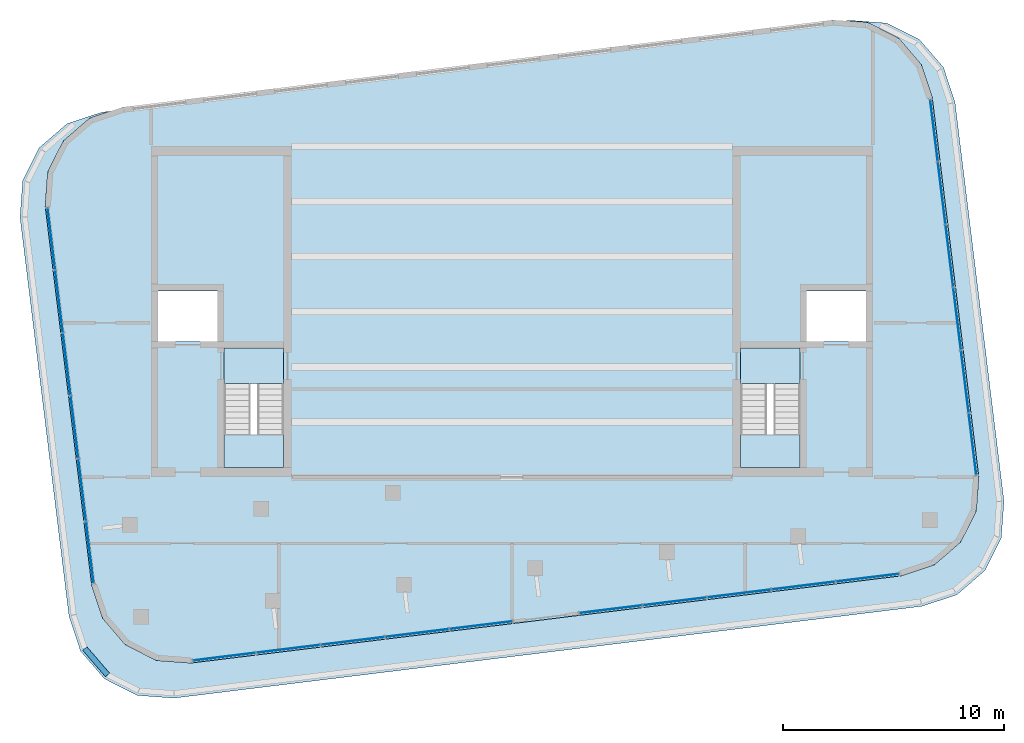
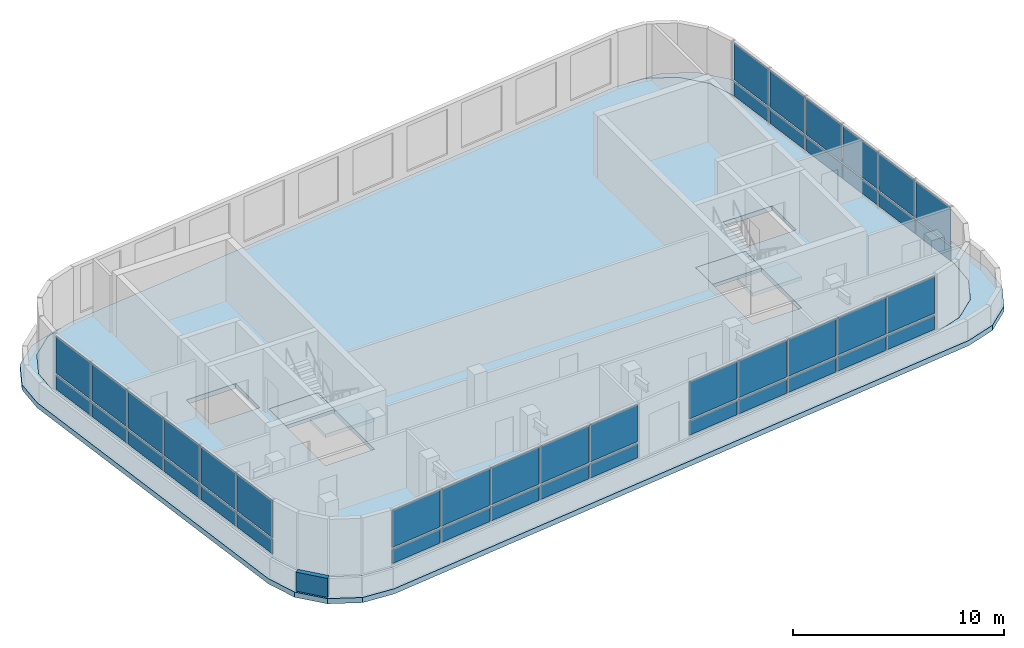
# One storey, part 4 of 8: 44 plates, 6 slabs, 1 wall, 6 elements without a shape of their own.
"""IFC4 building model written with IfcOpenShell, lengths in metres."""

from ifc_helpers import new_model, si_unit, direction, frame, frame_2d, origin, origin_2d, place, context, subcontext, project, spatial, polyline, rectangle, outline, extrude, material, layer, layer_set, type_object, element, aggregate, save


model = new_model("IFC4")

# Units and contexts
model_context = context("Model", 3, precision=1e-05, world=origin(), true_north=direction((0.0, 1.0)))
body_context = subcontext(model_context, "Body", "Model", "MODEL_VIEW")
ifc_project = project(units=[si_unit("LENGTHUNIT", "METRE"), si_unit("AREAUNIT", "SQUARE_METRE"), si_unit("VOLUMEUNIT", "CUBIC_METRE"), si_unit("PLANEANGLEUNIT", "RADIAN"), si_unit("MASSUNIT", "GRAM", prefix="KILO")], contexts=[model_context])

# Site, building, storey
site_placement = place(None, origin())
site = spatial("IfcSite", under=ifc_project, at=site_placement, CompositionType="ELEMENT")
building_placement = place(site_placement, origin())
building = spatial("IfcBuilding", under=site, at=building_placement, Name="Torana Hotel and Residences", CompositionType="ELEMENT")
storey_placement = place(building_placement, frame((0.0, 0.0, 350.199951171875)))
storey = spatial("IfcBuildingStorey", under=building, at=storey_placement, Name="C2", CompositionType="ELEMENT", Elevation=350.199951171875)

# Curtain wall, plates
ifc_material_1 = material(Name="Dark anodised aluminium", Category="aluminium")
ifc_layer_1 = layer(ifc_material_1, 0.199951171875)
ifc_layer_set_1 = layer_set([ifc_layer_1], Name="CW4 CROWN TERRACE GLAZING CURTAIN WALL")
curtain_wall_type = type_object("IfcCurtainWallType", Name="CW4 CROWN TERRACE GLAZING CURTAIN WALL", PredefinedType="NOTDEFINED", material=ifc_layer_set_1)
curtain_wall_1_placement = place(storey_placement, origin())
curtain_wall_1 = element("IfcCurtainWall", 1, at=curtain_wall_1_placement, inside=storey, type_object=curtain_wall_type, Name="Curtain wall CW4 C2 e0.9", PredefinedType="NOTDEFINED")
ifc_material_2 = material(Name="Glass dark tinted laminated glass", Category="glass")
ifc_layer_2 = layer(ifc_material_2, 0.02197265625)
ifc_layer_set_2 = layer_set([ifc_layer_2], Name="CW4 DARK GLASS PANEL 22")
plate_type = type_object("IfcPlateType", Name="CW4 DARK GLASS PANEL 22", PredefinedType="CURTAIN_PANEL", material=ifc_layer_set_2)
plate_1_placement = place(storey_placement, frame((-20.87255859375, -4.197021484375, 0.1201171875), z_axis=(0.0, 0.0, 1.0), x_axis=(0.121868733109, -0.992546226576, 0.0)))
plate_1 = element("IfcPlate", 2, at=plate_1_placement, type_object=plate_type, Name="CW4 panel 1.1", PredefinedType="CURTAIN_PANEL", context=body_context, shape_type="SweptSolid", body=[
    extrude(rectangle(XDim=2.766845703125, YDim=0.02197265625, at=origin_2d()), origin(), (0.0, 0.0, 1.0), 0.820068359375),
])
plate_2_placement = place(storey_placement, frame((-20.87255859375, -4.197021484375, 1.06005859375), z_axis=(0.0, 0.0, 1.0), x_axis=(0.121868733109, -0.992546226576, 0.0)))
plate_2 = element("IfcPlate", 3, at=plate_2_placement, type_object=plate_type, Name="CW4 panel 1.2", PredefinedType="CURTAIN_PANEL", context=body_context, shape_type="SweptSolid", body=[
    extrude(rectangle(XDim=2.766845703125, YDim=0.02197265625, at=origin_2d()), origin(), (0.0, 0.0, 1.0), 2.139892578125),
])
plate_3_placement = place(storey_placement, frame((-20.524658203125, -7.030029296875, 0.1201171875), z_axis=(0.0, 0.0, 1.0), x_axis=(0.121868733109, -0.992546226576, 0.0)))
plate_3 = element("IfcPlate", 4, at=plate_3_placement, type_object=plate_type, Name="CW4 panel 2.1", PredefinedType="CURTAIN_PANEL", context=body_context, shape_type="SweptSolid", body=[
    extrude(rectangle(XDim=2.8017578125, YDim=0.02197265625, at=origin_2d()), origin(), (0.0, 0.0, 1.0), 0.820068359375),
])
plate_4_placement = place(storey_placement, frame((-20.524658203125, -7.030029296875, 1.06005859375), z_axis=(0.0, 0.0, 1.0), x_axis=(0.121868733109, -0.992546226576, 0.0)))
plate_4 = element("IfcPlate", 5, at=plate_4_placement, type_object=plate_type, Name="CW4 panel 2.2", PredefinedType="CURTAIN_PANEL", context=body_context, shape_type="SweptSolid", body=[
    extrude(rectangle(XDim=2.8017578125, YDim=0.02197265625, at=origin_2d()), origin(), (0.0, 0.0, 1.0), 2.139892578125),
])
plate_5_placement = place(storey_placement, frame((-20.1748046875, -9.88037109375, 0.1201171875), z_axis=(0.0, 0.0, 1.0), x_axis=(0.121868733109, -0.992546226576, 0.0)))
plate_5 = element("IfcPlate", 6, at=plate_5_placement, type_object=plate_type, Name="CW4 panel 3.1", PredefinedType="CURTAIN_PANEL", context=body_context, shape_type="SweptSolid", body=[
    extrude(rectangle(XDim=2.8017578125, YDim=0.02197265625, at=origin_2d()), origin(), (0.0, 0.0, 1.0), 0.820068359375),
])
plate_6_placement = place(storey_placement, frame((-20.1748046875, -9.88037109375, 1.06005859375), z_axis=(0.0, 0.0, 1.0), x_axis=(0.121868733109, -0.992546226576, 0.0)))
plate_6 = element("IfcPlate", 7, at=plate_6_placement, type_object=plate_type, Name="CW4 panel 3.2", PredefinedType="CURTAIN_PANEL", context=body_context, shape_type="SweptSolid", body=[
    extrude(rectangle(XDim=2.8017578125, YDim=0.02197265625, at=origin_2d()), origin(), (0.0, 0.0, 1.0), 2.139892578125),
])
plate_7_placement = place(storey_placement, frame((-19.82470703125, -12.730712890625, 0.1201171875), z_axis=(0.0, 0.0, 1.0), x_axis=(0.121868733109, -0.992546226576, 0.0)))
plate_7 = element("IfcPlate", 8, at=plate_7_placement, type_object=plate_type, Name="CW4 panel 4.1", PredefinedType="CURTAIN_PANEL", context=body_context, shape_type="SweptSolid", body=[
    extrude(rectangle(XDim=2.8017578125, YDim=0.02197265625, at=origin_2d()), origin(), (0.0, 0.0, 1.0), 0.820068359375),
])
plate_8_placement = place(storey_placement, frame((-19.82470703125, -12.730712890625, 1.06005859375), z_axis=(0.0, 0.0, 1.0), x_axis=(0.121868733109, -0.992546226576, 0.0)))
plate_8 = element("IfcPlate", 9, at=plate_8_placement, type_object=plate_type, Name="CW4 panel 4.2", PredefinedType="CURTAIN_PANEL", context=body_context, shape_type="SweptSolid", body=[
    extrude(rectangle(XDim=2.8017578125, YDim=0.02197265625, at=origin_2d()), origin(), (0.0, 0.0, 1.0), 2.139892578125),
])
plate_9_placement = place(storey_placement, frame((-19.474853515625, -15.581298828125, 0.1201171875), z_axis=(0.0, 0.0, 1.0), x_axis=(0.121868733109, -0.992546226576, 0.0)))
plate_9 = element("IfcPlate", 10, at=plate_9_placement, type_object=plate_type, Name="CW4 panel 5.1", PredefinedType="CURTAIN_PANEL", context=body_context, shape_type="SweptSolid", body=[
    extrude(rectangle(XDim=2.8017578125, YDim=0.02197265625, at=origin_2d()), origin(), (0.0, 0.0, 1.0), 0.820068359375),
])
plate_10_placement = place(storey_placement, frame((-19.474853515625, -15.581298828125, 1.06005859375), z_axis=(0.0, 0.0, 1.0), x_axis=(0.121868733109, -0.992546226576, 0.0)))
plate_10 = element("IfcPlate", 11, at=plate_10_placement, type_object=plate_type, Name="CW4 panel 5.2", PredefinedType="CURTAIN_PANEL", context=body_context, shape_type="SweptSolid", body=[
    extrude(rectangle(XDim=2.8017578125, YDim=0.02197265625, at=origin_2d()), origin(), (0.0, 0.0, 1.0), 2.139892578125),
])
plate_11_placement = place(storey_placement, frame((-19.126953125, -18.414306640625, 0.1201171875), z_axis=(0.0, 0.0, 1.0), x_axis=(0.121868733109, -0.992546226576, 0.0)))
plate_11 = element("IfcPlate", 12, at=plate_11_placement, type_object=plate_type, Name="CW4 panel 6.1", PredefinedType="CURTAIN_PANEL", context=body_context, shape_type="SweptSolid", body=[
    extrude(rectangle(XDim=2.766845703125, YDim=0.02197265625, at=origin_2d()), origin(), (0.0, 0.0, 1.0), 0.820068359375),
])
plate_12_placement = place(storey_placement, frame((-19.126953125, -18.414306640625, 1.06005859375), z_axis=(0.0, 0.0, 1.0), x_axis=(0.121868733109, -0.992546226576, 0.0)))
plate_12 = element("IfcPlate", 13, at=plate_12_placement, type_object=plate_type, Name="CW4 panel 6.2", PredefinedType="CURTAIN_PANEL", context=body_context, shape_type="SweptSolid", body=[
    extrude(rectangle(XDim=2.766845703125, YDim=0.02197265625, at=origin_2d()), origin(), (0.0, 0.0, 1.0), 2.139892578125),
])
aggregate(curtain_wall_1, [plate_1, plate_2, plate_3, plate_4, plate_5, plate_6, plate_7, plate_8, plate_9, plate_10, plate_11, plate_12])

curtain_wall_2_placement = place(storey_placement, origin())
curtain_wall_2 = element("IfcCurtainWall", 14, at=curtain_wall_2_placement, inside=storey, type_object=curtain_wall_type, Name="Curtain wall CW4 C2 e0.14-1", PredefinedType="NOTDEFINED")
plate_13_placement = place(storey_placement, frame((-13.043701171875, -23.135986328125, 0.1201171875), z_axis=(0.0, 0.0, 1.0), x_axis=(0.99254689014, 0.121863328667, 0.0)))
plate_13 = element("IfcPlate", 15, at=plate_13_placement, type_object=plate_type, Name="CW4 panel 1.1", PredefinedType="CURTAIN_PANEL", context=body_context, shape_type="SweptSolid", body=[
    extrude(rectangle(XDim=2.8359375, YDim=0.02197265625, at=origin_2d()), origin(), (0.0, 0.0, 1.0), 0.820068359375),
])
plate_14_placement = place(storey_placement, frame((-13.043701171875, -23.135986328125, 1.06005859375), z_axis=(0.0, 0.0, 1.0), x_axis=(0.99254689014, 0.121863328667, 0.0)))
plate_14 = element("IfcPlate", 16, at=plate_14_placement, type_object=plate_type, Name="CW4 panel 1.2", PredefinedType="CURTAIN_PANEL", context=body_context, shape_type="SweptSolid", body=[
    extrude(rectangle(XDim=2.8359375, YDim=0.02197265625, at=origin_2d()), origin(), (0.0, 0.0, 1.0), 2.139892578125),
])
plate_15_placement = place(storey_placement, frame((-10.14208984375, -22.77978515625, 0.1201171875), z_axis=(0.0, 0.0, 1.0), x_axis=(0.99254689014, 0.121863328667, 0.0)))
plate_15 = element("IfcPlate", 17, at=plate_15_placement, type_object=plate_type, Name="CW4 panel 2.1", PredefinedType="CURTAIN_PANEL", context=body_context, shape_type="SweptSolid", body=[
    extrude(rectangle(XDim=2.87109375, YDim=0.02197265625, at=origin_2d()), origin(), (0.0, 0.0, 1.0), 0.820068359375),
])
plate_16_placement = place(storey_placement, frame((-10.14208984375, -22.77978515625, 1.06005859375), z_axis=(0.0, 0.0, 1.0), x_axis=(0.99254689014, 0.121863328667, 0.0)))
plate_16 = element("IfcPlate", 18, at=plate_16_placement, type_object=plate_type, Name="CW4 panel 2.2", PredefinedType="CURTAIN_PANEL", context=body_context, shape_type="SweptSolid", body=[
    extrude(rectangle(XDim=2.87109375, YDim=0.02197265625, at=origin_2d()), origin(), (0.0, 0.0, 1.0), 2.139892578125),
])
plate_17_placement = place(storey_placement, frame((-7.222900390625, -22.42138671875, 0.1201171875), z_axis=(0.0, 0.0, 1.0), x_axis=(0.99254689014, 0.121863328667, 0.0)))
plate_17 = element("IfcPlate", 19, at=plate_17_placement, type_object=plate_type, Name="CW4 panel 3.1", PredefinedType="CURTAIN_PANEL", context=body_context, shape_type="SweptSolid", body=[
    extrude(rectangle(XDim=2.87109375, YDim=0.02197265625, at=origin_2d()), origin(), (0.0, 0.0, 1.0), 0.820068359375),
])
plate_18_placement = place(storey_placement, frame((-7.222900390625, -22.42138671875, 1.06005859375), z_axis=(0.0, 0.0, 1.0), x_axis=(0.99254689014, 0.121863328667, 0.0)))
plate_18 = element("IfcPlate", 20, at=plate_18_placement, type_object=plate_type, Name="CW4 panel 3.2", PredefinedType="CURTAIN_PANEL", context=body_context, shape_type="SweptSolid", body=[
    extrude(rectangle(XDim=2.87109375, YDim=0.02197265625, at=origin_2d()), origin(), (0.0, 0.0, 1.0), 2.139892578125),
])
plate_19_placement = place(storey_placement, frame((-4.3037109375, -22.06298828125, 0.1201171875), z_axis=(0.0, 0.0, 1.0), x_axis=(0.99254689014, 0.121863328667, 0.0)))
plate_19 = element("IfcPlate", 21, at=plate_19_placement, type_object=plate_type, Name="CW4 panel 4.1", PredefinedType="CURTAIN_PANEL", context=body_context, shape_type="SweptSolid", body=[
    extrude(rectangle(XDim=2.87109375, YDim=0.02197265625, at=origin_2d()), origin(), (0.0, 0.0, 1.0), 0.820068359375),
])
plate_20_placement = place(storey_placement, frame((-4.3037109375, -22.06298828125, 1.06005859375), z_axis=(0.0, 0.0, 1.0), x_axis=(0.99254689014, 0.121863328667, 0.0)))
plate_20 = element("IfcPlate", 22, at=plate_20_placement, type_object=plate_type, Name="CW4 panel 4.2", PredefinedType="CURTAIN_PANEL", context=body_context, shape_type="SweptSolid", body=[
    extrude(rectangle(XDim=2.87109375, YDim=0.02197265625, at=origin_2d()), origin(), (0.0, 0.0, 1.0), 2.139892578125),
])
plate_21_placement = place(storey_placement, frame((-1.402099609375, -21.706787109375, 0.1201171875), z_axis=(0.0, 0.0, 1.0), x_axis=(0.99254689014, 0.121863328667, 0.0)))
plate_21 = element("IfcPlate", 23, at=plate_21_placement, type_object=plate_type, Name="CW4 panel 5.1", PredefinedType="CURTAIN_PANEL", context=body_context, shape_type="SweptSolid", body=[
    extrude(rectangle(XDim=2.8359375, YDim=0.02197265625, at=origin_2d()), origin(), (0.0, 0.0, 1.0), 0.820068359375),
])
plate_22_placement = place(storey_placement, frame((-1.402099609375, -21.706787109375, 1.06005859375), z_axis=(0.0, 0.0, 1.0), x_axis=(0.99254689014, 0.121863328667, 0.0)))
plate_22 = element("IfcPlate", 24, at=plate_22_placement, type_object=plate_type, Name="CW4 panel 5.2", PredefinedType="CURTAIN_PANEL", context=body_context, shape_type="SweptSolid", body=[
    extrude(rectangle(XDim=2.8359375, YDim=0.02197265625, at=origin_2d()), origin(), (0.0, 0.0, 1.0), 2.139892578125),
])
aggregate(curtain_wall_2, [plate_13, plate_14, plate_15, plate_16, plate_17, plate_18, plate_19, plate_20, plate_21, plate_22])

curtain_wall_3_placement = place(storey_placement, origin())
curtain_wall_3 = element("IfcCurtainWall", 25, at=curtain_wall_3_placement, inside=storey, type_object=curtain_wall_type, Name="Curtain wall CW4 C2 e0.14-2", PredefinedType="NOTDEFINED")
plate_23_placement = place(storey_placement, frame((4.470703125, -20.985595703125, 0.1201171875), z_axis=(0.0, 0.0, 1.0), x_axis=(0.992546067575, 0.12187002807, 0.0)))
plate_23 = element("IfcPlate", 26, at=plate_23_placement, type_object=plate_type, Name="CW4 panel 1.1", PredefinedType="CURTAIN_PANEL", context=body_context, shape_type="SweptSolid", body=[
    extrude(rectangle(XDim=2.8359375, YDim=0.02197265625, at=origin_2d()), origin(), (0.0, 0.0, 1.0), 0.820068359375),
])
plate_24_placement = place(storey_placement, frame((4.470703125, -20.985595703125, 1.06005859375), z_axis=(0.0, 0.0, 1.0), x_axis=(0.992546067575, 0.12187002807, 0.0)))
plate_24 = element("IfcPlate", 27, at=plate_24_placement, type_object=plate_type, Name="CW4 panel 1.2", PredefinedType="CURTAIN_PANEL", context=body_context, shape_type="SweptSolid", body=[
    extrude(rectangle(XDim=2.8359375, YDim=0.02197265625, at=origin_2d()), origin(), (0.0, 0.0, 1.0), 2.139892578125),
])
plate_25_placement = place(storey_placement, frame((7.372314453125, -20.62939453125, 0.1201171875), z_axis=(0.0, 0.0, 1.0), x_axis=(0.992546067575, 0.12187002807, 0.0)))
plate_25 = element("IfcPlate", 28, at=plate_25_placement, type_object=plate_type, Name="CW4 panel 2.1", PredefinedType="CURTAIN_PANEL", context=body_context, shape_type="SweptSolid", body=[
    extrude(rectangle(XDim=2.87109375, YDim=0.02197265625, at=origin_2d()), origin(), (0.0, 0.0, 1.0), 0.820068359375),
])
plate_26_placement = place(storey_placement, frame((7.372314453125, -20.62939453125, 1.06005859375), z_axis=(0.0, 0.0, 1.0), x_axis=(0.992546067575, 0.12187002807, 0.0)))
plate_26 = element("IfcPlate", 29, at=plate_26_placement, type_object=plate_type, Name="CW4 panel 2.2", PredefinedType="CURTAIN_PANEL", context=body_context, shape_type="SweptSolid", body=[
    extrude(rectangle(XDim=2.87109375, YDim=0.02197265625, at=origin_2d()), origin(), (0.0, 0.0, 1.0), 2.139892578125),
])
plate_27_placement = place(storey_placement, frame((10.29150390625, -20.27099609375, 0.1201171875), z_axis=(0.0, 0.0, 1.0), x_axis=(0.992546067575, 0.12187002807, 0.0)))
plate_27 = element("IfcPlate", 30, at=plate_27_placement, type_object=plate_type, Name="CW4 panel 3.1", PredefinedType="CURTAIN_PANEL", context=body_context, shape_type="SweptSolid", body=[
    extrude(rectangle(XDim=2.87109375, YDim=0.02197265625, at=origin_2d()), origin(), (0.0, 0.0, 1.0), 0.820068359375),
])
plate_28_placement = place(storey_placement, frame((10.29150390625, -20.27099609375, 1.06005859375), z_axis=(0.0, 0.0, 1.0), x_axis=(0.992546067575, 0.12187002807, 0.0)))
plate_28 = element("IfcPlate", 31, at=plate_28_placement, type_object=plate_type, Name="CW4 panel 3.2", PredefinedType="CURTAIN_PANEL", context=body_context, shape_type="SweptSolid", body=[
    extrude(rectangle(XDim=2.87109375, YDim=0.02197265625, at=origin_2d()), origin(), (0.0, 0.0, 1.0), 2.139892578125),
])
plate_29_placement = place(storey_placement, frame((13.210693359375, -19.91259765625, 0.1201171875), z_axis=(0.0, 0.0, 1.0), x_axis=(0.992546067575, 0.12187002807, 0.0)))
plate_29 = element("IfcPlate", 32, at=plate_29_placement, type_object=plate_type, Name="CW4 panel 4.1", PredefinedType="CURTAIN_PANEL", context=body_context, shape_type="SweptSolid", body=[
    extrude(rectangle(XDim=2.87109375, YDim=0.02197265625, at=origin_2d()), origin(), (0.0, 0.0, 1.0), 0.820068359375),
])
plate_30_placement = place(storey_placement, frame((13.210693359375, -19.91259765625, 1.06005859375), z_axis=(0.0, 0.0, 1.0), x_axis=(0.992546067575, 0.12187002807, 0.0)))
plate_30 = element("IfcPlate", 33, at=plate_30_placement, type_object=plate_type, Name="CW4 panel 4.2", PredefinedType="CURTAIN_PANEL", context=body_context, shape_type="SweptSolid", body=[
    extrude(rectangle(XDim=2.87109375, YDim=0.02197265625, at=origin_2d()), origin(), (0.0, 0.0, 1.0), 2.139892578125),
])
plate_31_placement = place(storey_placement, frame((16.1123046875, -19.55615234375, 0.1201171875), z_axis=(0.0, 0.0, 1.0), x_axis=(0.992546067575, 0.12187002807, 0.0)))
plate_31 = element("IfcPlate", 34, at=plate_31_placement, type_object=plate_type, Name="CW4 panel 5.1", PredefinedType="CURTAIN_PANEL", context=body_context, shape_type="SweptSolid", body=[
    extrude(rectangle(XDim=2.8359375, YDim=0.02197265625, at=origin_2d()), origin(), (0.0, 0.0, 1.0), 0.820068359375),
])
plate_32_placement = place(storey_placement, frame((16.1123046875, -19.55615234375, 1.06005859375), z_axis=(0.0, 0.0, 1.0), x_axis=(0.992546067575, 0.12187002807, 0.0)))
plate_32 = element("IfcPlate", 35, at=plate_32_placement, type_object=plate_type, Name="CW4 panel 5.2", PredefinedType="CURTAIN_PANEL", context=body_context, shape_type="SweptSolid", body=[
    extrude(rectangle(XDim=2.8359375, YDim=0.02197265625, at=origin_2d()), origin(), (0.0, 0.0, 1.0), 2.139892578125),
])
aggregate(curtain_wall_3, [plate_23, plate_24, plate_25, plate_26, plate_27, plate_28, plate_29, plate_30, plate_31, plate_32])

curtain_wall_4_placement = place(storey_placement, origin())
curtain_wall_4 = element("IfcCurtainWall", 36, at=curtain_wall_4_placement, inside=storey, type_object=curtain_wall_type, Name="Curtain wall CW4 C2 e0.19", PredefinedType="NOTDEFINED")
plate_33_placement = place(storey_placement, frame((20.87255859375, -13.5029296875, 0.1201171875), z_axis=(0.0, 0.0, 1.0), x_axis=(-0.121868733109, 0.992546226576, 0.0)))
plate_33 = element("IfcPlate", 37, at=plate_33_placement, type_object=plate_type, Name="CW4 panel 1.1", PredefinedType="CURTAIN_PANEL", context=body_context, shape_type="SweptSolid", body=[
    extrude(rectangle(XDim=2.766845703125, YDim=0.02197265625, at=origin_2d()), origin(), (0.0, 0.0, 1.0), 0.820068359375),
])
plate_34_placement = place(storey_placement, frame((20.87255859375, -13.5029296875, 1.06005859375), z_axis=(0.0, 0.0, 1.0), x_axis=(-0.121868733109, 0.992546226576, 0.0)))
plate_34 = element("IfcPlate", 38, at=plate_34_placement, type_object=plate_type, Name="CW4 panel 1.2", PredefinedType="CURTAIN_PANEL", context=body_context, shape_type="SweptSolid", body=[
    extrude(rectangle(XDim=2.766845703125, YDim=0.02197265625, at=origin_2d()), origin(), (0.0, 0.0, 1.0), 2.139892578125),
])
plate_35_placement = place(storey_placement, frame((20.524658203125, -10.669921875, 0.1201171875), z_axis=(0.0, 0.0, 1.0), x_axis=(-0.121868733109, 0.992546226576, 0.0)))
plate_35 = element("IfcPlate", 39, at=plate_35_placement, type_object=plate_type, Name="CW4 panel 2.1", PredefinedType="CURTAIN_PANEL", context=body_context, shape_type="SweptSolid", body=[
    extrude(rectangle(XDim=2.8017578125, YDim=0.02197265625, at=origin_2d()), origin(), (0.0, 0.0, 1.0), 0.820068359375),
])
plate_36_placement = place(storey_placement, frame((20.524658203125, -10.669921875, 1.06005859375), z_axis=(0.0, 0.0, 1.0), x_axis=(-0.121868733109, 0.992546226576, 0.0)))
plate_36 = element("IfcPlate", 40, at=plate_36_placement, type_object=plate_type, Name="CW4 panel 2.2", PredefinedType="CURTAIN_PANEL", context=body_context, shape_type="SweptSolid", body=[
    extrude(rectangle(XDim=2.8017578125, YDim=0.02197265625, at=origin_2d()), origin(), (0.0, 0.0, 1.0), 2.139892578125),
])
plate_37_placement = place(storey_placement, frame((20.1748046875, -7.819580078125, 0.1201171875), z_axis=(0.0, 0.0, 1.0), x_axis=(-0.121868733109, 0.992546226576, 0.0)))
plate_37 = element("IfcPlate", 41, at=plate_37_placement, type_object=plate_type, Name="CW4 panel 3.1", PredefinedType="CURTAIN_PANEL", context=body_context, shape_type="SweptSolid", body=[
    extrude(rectangle(XDim=2.8017578125, YDim=0.02197265625, at=origin_2d()), origin(), (0.0, 0.0, 1.0), 0.820068359375),
])
plate_38_placement = place(storey_placement, frame((20.1748046875, -7.819580078125, 1.06005859375), z_axis=(0.0, 0.0, 1.0), x_axis=(-0.121868733109, 0.992546226576, 0.0)))
plate_38 = element("IfcPlate", 42, at=plate_38_placement, type_object=plate_type, Name="CW4 panel 3.2", PredefinedType="CURTAIN_PANEL", context=body_context, shape_type="SweptSolid", body=[
    extrude(rectangle(XDim=2.8017578125, YDim=0.02197265625, at=origin_2d()), origin(), (0.0, 0.0, 1.0), 2.139892578125),
])
plate_39_placement = place(storey_placement, frame((19.82470703125, -4.96923828125, 0.1201171875), z_axis=(0.0, 0.0, 1.0), x_axis=(-0.121868733109, 0.992546226576, 0.0)))
plate_39 = element("IfcPlate", 43, at=plate_39_placement, type_object=plate_type, Name="CW4 panel 4.1", PredefinedType="CURTAIN_PANEL", context=body_context, shape_type="SweptSolid", body=[
    extrude(rectangle(XDim=2.8017578125, YDim=0.02197265625, at=origin_2d()), origin(), (0.0, 0.0, 1.0), 0.820068359375),
])
plate_40_placement = place(storey_placement, frame((19.82470703125, -4.96923828125, 1.06005859375), z_axis=(0.0, 0.0, 1.0), x_axis=(-0.121868733109, 0.992546226576, 0.0)))
plate_40 = element("IfcPlate", 44, at=plate_40_placement, type_object=plate_type, Name="CW4 panel 4.2", PredefinedType="CURTAIN_PANEL", context=body_context, shape_type="SweptSolid", body=[
    extrude(rectangle(XDim=2.8017578125, YDim=0.02197265625, at=origin_2d()), origin(), (0.0, 0.0, 1.0), 2.139892578125),
])
plate_41_placement = place(storey_placement, frame((19.474853515625, -2.118896484375, 0.1201171875), z_axis=(0.0, 0.0, 1.0), x_axis=(-0.121868733109, 0.992546226576, 0.0)))
plate_41 = element("IfcPlate", 45, at=plate_41_placement, type_object=plate_type, Name="CW4 panel 5.1", PredefinedType="CURTAIN_PANEL", context=body_context, shape_type="SweptSolid", body=[
    extrude(rectangle(XDim=2.8017578125, YDim=0.02197265625, at=origin_2d()), origin(), (0.0, 0.0, 1.0), 0.820068359375),
])
plate_42_placement = place(storey_placement, frame((19.474853515625, -2.118896484375, 1.06005859375), z_axis=(0.0, 0.0, 1.0), x_axis=(-0.121868733109, 0.992546226576, 0.0)))
plate_42 = element("IfcPlate", 46, at=plate_42_placement, type_object=plate_type, Name="CW4 panel 5.2", PredefinedType="CURTAIN_PANEL", context=body_context, shape_type="SweptSolid", body=[
    extrude(rectangle(XDim=2.8017578125, YDim=0.02197265625, at=origin_2d()), origin(), (0.0, 0.0, 1.0), 2.139892578125),
])
plate_43_placement = place(storey_placement, frame((19.126953125, 0.714111328125, 0.1201171875), z_axis=(0.0, 0.0, 1.0), x_axis=(-0.121868733109, 0.992546226576, 0.0)))
plate_43 = element("IfcPlate", 47, at=plate_43_placement, type_object=plate_type, Name="CW4 panel 6.1", PredefinedType="CURTAIN_PANEL", context=body_context, shape_type="SweptSolid", body=[
    extrude(rectangle(XDim=2.766845703125, YDim=0.02197265625, at=origin_2d()), origin(), (0.0, 0.0, 1.0), 0.820068359375),
])
plate_44_placement = place(storey_placement, frame((19.126953125, 0.714111328125, 1.06005859375), z_axis=(0.0, 0.0, 1.0), x_axis=(-0.121868733109, 0.992546226576, 0.0)))
plate_44 = element("IfcPlate", 48, at=plate_44_placement, type_object=plate_type, Name="CW4 panel 6.2", PredefinedType="CURTAIN_PANEL", context=body_context, shape_type="SweptSolid", body=[
    extrude(rectangle(XDim=2.766845703125, YDim=0.02197265625, at=origin_2d()), origin(), (0.0, 0.0, 1.0), 2.139892578125),
])
aggregate(curtain_wall_4, [plate_33, plate_34, plate_35, plate_36, plate_37, plate_38, plate_39, plate_40, plate_41, plate_42, plate_43, plate_44])

# Slab
ifc_material_3 = material(Name="Concrete C40/50", Category="concrete")
ifc_layer_3 = layer(ifc_material_3, 0.280029296875)
ifc_layer_set_3 = layer_set([ifc_layer_3], Name="FLOOR SLAB PT 280")
slab_type_1 = type_object("IfcSlabType", Name="FLOOR SLAB PT 280", PredefinedType="FLOOR", material=ifc_layer_set_3)
slab_1_placement = place(storey_placement, frame((0.0, 0.0, -0.280029296875)))
element("IfcSlab", 49, at=slab_1_placement, inside=storey, type_object=slab_type_1, Name="Floor slab", PredefinedType="FLOOR", context=body_context, shape_type="SweptSolid", body=[
    extrude(outline(polyline([(19.046142578125, 2.193359375), (18.55126953125, 3.694091796875), (17.519775390625, 4.891357421875), (16.108642578125, 5.6025390625), (14.53271484375, 5.7197265625), (-17.625732421875, 1.771240234375), (-19.12646484375, 1.2763671875), (-20.323486328125, 0.244873046875), (-21.034912109375, -1.166259765625), (-21.152099609375, -2.7421875), (-19.046142578125, -19.893310546875), (-18.55126953125, -21.394287109375), (-17.519775390625, -22.59130859375), (-16.108642578125, -23.302490234375), (-14.53271484375, -23.419677734375), (17.625732421875, -19.47119140625), (19.12646484375, -18.976318359375), (20.323486328125, -17.94482421875), (21.034912109375, -16.53369140625), (21.152099609375, -14.957763671875), (19.046142578125, 2.193359375)]), holes=[polyline([(-13.050048828125, -14.550048828125), (-10.35009765625, -14.550048828125), (-10.35009765625, -9.14990234375), (-13.050048828125, -9.14990234375), (-13.050048828125, -14.550048828125)]), polyline([(-16.050048828125, -8.85009765625), (-13.35009765625, -8.85009765625), (-13.35009765625, -6.550048828125), (-16.050048828125, -6.550048828125), (-16.050048828125, -8.85009765625)]), polyline([(10.35009765625, -14.550048828125), (13.050048828125, -14.550048828125), (13.050048828125, -9.14990234375), (10.35009765625, -9.14990234375), (10.35009765625, -14.550048828125)]), polyline([(13.35009765625, -8.85009765625), (16.050048828125, -8.85009765625), (16.050048828125, -6.550048828125), (13.35009765625, -6.550048828125), (13.35009765625, -8.85009765625)])]), origin(), (0.0, 0.0, 1.0), 0.280029296875),
])

# Stair, slabs
ifc_material_4 = material(Name="Concrete C40/50 precast", Category="concrete")
stair_type_1 = type_object("IfcStairType", Name="STAIR ST1 HALF TURN 1200", PredefinedType="HALF_TURN_STAIR", material=ifc_material_4)
stair_1_placement = place(storey_placement, origin())
stair_1 = element("IfcStair", 50, at=stair_1_placement, inside=storey, type_object=stair_type_1, Name="Stair ST1 C2", PredefinedType="HALF_TURN_STAIR")
ifc_material_5 = material(Name="Concrete C40/50 precast", Category="concrete")
ifc_layer_4 = layer(ifc_material_5, 0.199951171875)
ifc_layer_set_4 = layer_set([ifc_layer_4], Name="STAIR LANDING 200")
slab_type_2 = type_object("IfcSlabType", Name="STAIR LANDING 200", PredefinedType="LANDING", material=ifc_layer_set_4)
slab_2_placement = place(storey_placement, frame((0.0, 0.0, 1.60009765625)))
slab_2 = element("IfcSlab", 51, at=slab_2_placement, type_object=slab_type_2, Name="ST1 landing 1", PredefinedType="LANDING", context=body_context, shape_type="SweptSolid", body=[
    extrude(outline(polyline([(-13.050048828125, -14.550048828125), (-10.35009765625, -14.550048828125), (-10.35009765625, -13.090087890625), (-13.050048828125, -13.090087890625), (-13.050048828125, -14.550048828125)])), origin(), (0.0, 0.0, 1.0), 0.199951171875),
])
slab_3_placement = place(storey_placement, frame((0.0, 0.0, -0.199951171875)))
slab_3 = element("IfcSlab", 52, at=slab_3_placement, type_object=slab_type_2, Name="ST1 landing 2", PredefinedType="LANDING", context=body_context, shape_type="SweptSolid", body=[
    extrude(outline(polyline([(-13.050048828125, -10.75), (-10.35009765625, -10.75), (-10.35009765625, -9.14990234375), (-13.050048828125, -9.14990234375), (-13.050048828125, -10.75)])), origin(), (0.0, 0.0, 1.0), 0.199951171875),
])
aggregate(stair_1, [slab_2, slab_3])

ifc_material_6 = material(Name="Concrete C40/50 precast", Category="concrete")
stair_type_2 = type_object("IfcStairType", Name="STAIR ST3 HALF TURN 1200", PredefinedType="HALF_TURN_STAIR", material=ifc_material_6)
stair_2_placement = place(storey_placement, origin())
stair_2 = element("IfcStair", 53, at=stair_2_placement, inside=storey, type_object=stair_type_2, Name="Stair ST3 C2", PredefinedType="HALF_TURN_STAIR")
slab_4_placement = place(storey_placement, frame((0.0, 0.0, 1.60009765625)))
slab_4 = element("IfcSlab", 54, at=slab_4_placement, type_object=slab_type_2, Name="ST3 landing 1", PredefinedType="LANDING", context=body_context, shape_type="SweptSolid", body=[
    extrude(outline(polyline([(10.35009765625, -14.550048828125), (13.050048828125, -14.550048828125), (13.050048828125, -13.090087890625), (10.35009765625, -13.090087890625), (10.35009765625, -14.550048828125)])), origin(), (0.0, 0.0, 1.0), 0.199951171875),
])
slab_5_placement = place(storey_placement, frame((0.0, 0.0, -0.199951171875)))
slab_5 = element("IfcSlab", 55, at=slab_5_placement, type_object=slab_type_2, Name="ST3 landing 2", PredefinedType="LANDING", context=body_context, shape_type="SweptSolid", body=[
    extrude(outline(polyline([(10.35009765625, -10.75), (13.050048828125, -10.75), (13.050048828125, -9.14990234375), (10.35009765625, -9.14990234375), (10.35009765625, -10.75)])), origin(), (0.0, 0.0, 1.0), 0.199951171875),
])
aggregate(stair_2, [slab_4, slab_5])

# Slab
ifc_material_7 = material(Name="Concrete C40/50", Category="concrete")
ifc_layer_5 = layer(ifc_material_7, 0.300048828125)
ifc_layer_set_5 = layer_set([ifc_layer_5], Name="TR1 TERRACE SLAB 300")
slab_type_3 = type_object("IfcSlabType", Name="TR1 TERRACE SLAB 300", PredefinedType="USERDEFINED", material=ifc_layer_set_5)
slab_6_placement = place(storey_placement, frame((0.0, 0.0, -0.300048828125)))
element("IfcSlab", 56, at=slab_6_placement, inside=storey, type_object=slab_type_3, Name="Terrace C2 1", ObjectType="TERRACE", PredefinedType="USERDEFINED", context=body_context, shape_type="SweptSolid", body=[
    extrude(outline(polyline([(15.31884765625, 5.70458984375), (16.97998046875, 5.5810546875), (18.46728515625, 4.831298828125), (19.5546875, 3.569580078125), (20.076416015625, 1.987548828125), (22.296142578125, -16.09130859375), (22.172607421875, -17.752685546875), (21.423095703125, -19.239990234375), (20.1611328125, -20.327392578125), (18.5791015625, -20.84912109375), (-15.31884765625, -25.010986328125), (-16.97998046875, -24.8876953125), (-18.46728515625, -24.137939453125), (-19.5546875, -22.8759765625), (-20.076416015625, -21.294189453125), (-22.296142578125, -3.215087890625), (-22.172607421875, -1.553955078125), (-21.423095703125, -0.06640625), (-20.1611328125, 1.020751953125), (-18.5791015625, 1.54248046875), (-18.170654296875, 1.592529296875), (-19.126708984375, 1.277099609375), (-19.126953125, 1.277099609375), (-19.126953125, 1.277099609375), (-19.127197265625, 1.277099609375), (-19.127197265625, 1.277099609375), (-20.32421875, 0.24560546875), (-20.32421875, 0.24560546875), (-20.324462890625, 0.245361328125), (-20.324462890625, 0.245361328125), (-20.324462890625, 0.245361328125), (-21.035888671875, -1.165771484375), (-21.035888671875, -1.166015625), (-21.035888671875, -1.166015625), (-21.035888671875, -1.166015625), (-21.035888671875, -1.166259765625), (-21.153076171875, -2.7421875), (-21.153076171875, -2.7421875), (-21.153076171875, -2.7421875), (-19.047119140625, -19.8935546875), (-19.047119140625, -19.8935546875), (-19.047119140625, -19.893798828125), (-18.552001953125, -21.39453125), (-18.552001953125, -21.39453125), (-18.552001953125, -21.394775390625), (-18.552001953125, -21.394775390625), (-18.552001953125, -21.39501953125), (-17.5205078125, -22.592041015625), (-17.5205078125, -22.592041015625), (-17.5205078125, -22.592041015625), (-17.520263671875, -22.592041015625), (-17.520263671875, -22.59228515625), (-16.109130859375, -23.303466796875), (-16.109130859375, -23.303466796875), (-16.10888671875, -23.3037109375), (-16.10888671875, -23.3037109375), (-16.10888671875, -23.3037109375), (-14.532958984375, -23.420654296875), (-14.53271484375, -23.420654296875), (-14.53271484375, -23.420654296875), (17.6259765625, -19.47216796875), (17.6259765625, -19.47216796875), (17.626220703125, -19.47216796875), (19.126708984375, -18.977294921875), (19.126953125, -18.977294921875), (19.126953125, -18.977294921875), (19.127197265625, -18.97705078125), (19.127197265625, -18.97705078125), (20.32421875, -17.945556640625), (20.32421875, -17.945556640625), (20.324462890625, -17.9453125), (20.324462890625, -17.9453125), (20.324462890625, -17.9453125), (21.035888671875, -16.5341796875), (21.035888671875, -16.5341796875), (21.035888671875, -16.533935546875), (21.035888671875, -16.533935546875), (21.035888671875, -16.53369140625), (21.153076171875, -14.9580078125), (21.153076171875, -14.957763671875), (21.153076171875, -14.957763671875), (19.047119140625, 2.193603515625), (19.047119140625, 2.193603515625), (19.047119140625, 2.193603515625), (18.552001953125, 3.694580078125), (18.552001953125, 3.694580078125), (18.552001953125, 3.694580078125), (18.552001953125, 3.69482421875), (18.552001953125, 3.69482421875), (17.5205078125, 4.89208984375), (17.5205078125, 4.89208984375), (17.5205078125, 4.89208984375), (17.520263671875, 4.89208984375), (17.520263671875, 4.89208984375), (16.109130859375, 5.603515625), (16.109130859375, 5.603515625), (16.10888671875, 5.603515625), (16.10888671875, 5.603515625), (16.10888671875, 5.603515625), (15.104736328125, 5.67822265625), (15.31884765625, 5.70458984375)])), origin(), (0.0, 0.0, 1.0), 0.300048828125),
])

# Wall
ifc_material_8 = material(Name="Aluminium coping with drip", Category="aluminium")
ifc_layer_6 = layer(ifc_material_8, 0.0029296875, Name="Coping flashing", Category="flashing")
ifc_material_9 = material(Name="Concrete C40/50 precast", Category="concrete")
ifc_layer_7 = layer(ifc_material_9, 0.00390625, Name="Cladding", Category="cladding")
ifc_material_10 = material(Name="Concrete C40/50", Category="concrete")
ifc_layer_8 = layer(ifc_material_10, 0.199951171875, Name="Wall", Category="structure")
ifc_material_11 = material(Name="Mineral wool insulation")
ifc_layer_9 = layer(ifc_material_11, 0.0400390625, Name="Insulation", Category="insulation")
ifc_material_12 = material(Name="Waterproofing upstand")
ifc_layer_10 = layer(ifc_material_12, 0.0029296875, Name="Upstand membrane", Category="membrane")
ifc_layer_set_6 = layer_set([ifc_layer_6, ifc_layer_7, ifc_layer_8, ifc_layer_9, ifc_layer_10], Name="PP1 PARAPET 250")
wall_type = type_object("IfcWallType", Name="PP1 PARAPET 250", PredefinedType="PARAPET", material=ifc_layer_set_6)
wall_placement = place(storey_placement, frame((-18.329345703125, -23.961181640625, 0.0), z_axis=(0.0, 0.0, 1.0), x_axis=(-0.652725415359, 0.75759456977, 0.0)))
element("IfcWall", 57, at=wall_placement, inside=storey, type_object=wall_type, Name="Roof parapet C2 12", PredefinedType="PARAPET", context=body_context, shape_type="SweptSolid", body=[
    extrude(rectangle(XDim=1.578369140625, YDim=0.25, at=frame_2d((0.7890625, 0.0))), origin(), (0.0, 0.0, 1.0), 1.10009765625),
])

save(model, "model.ifc")
